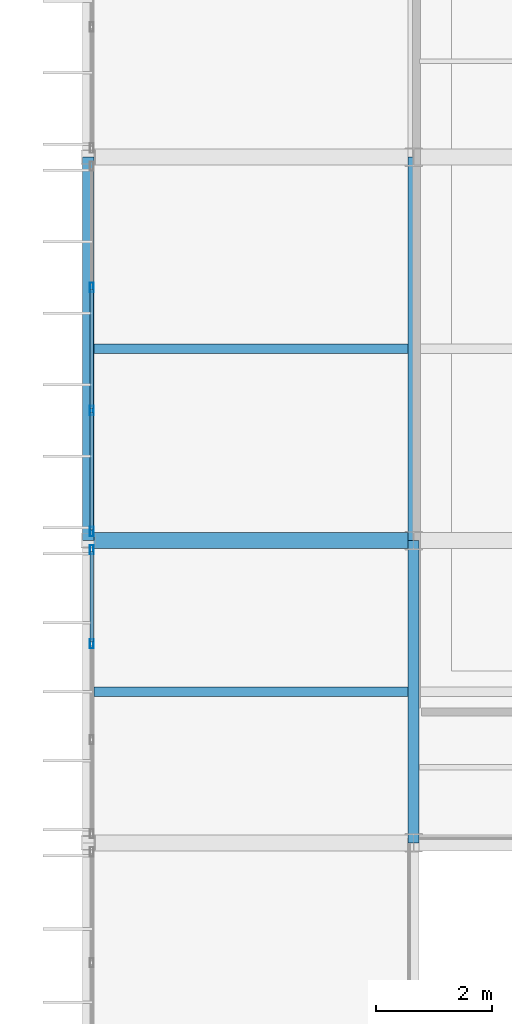
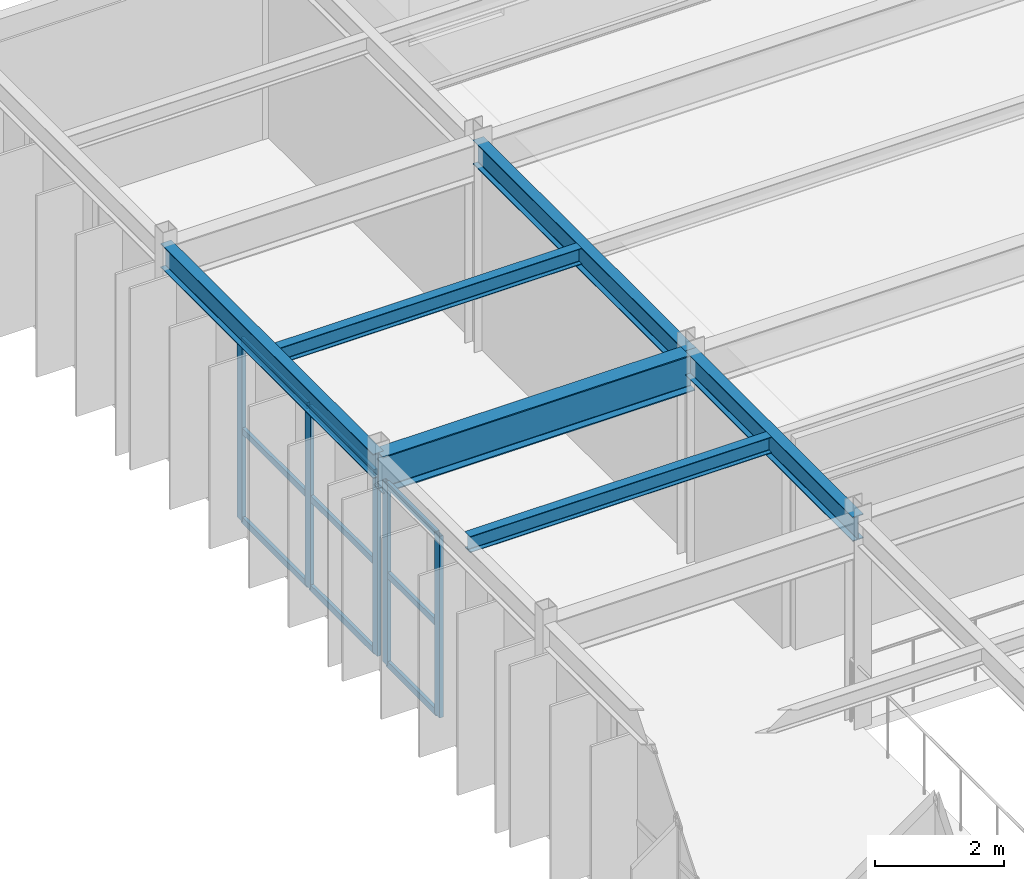
# One storey, part 38 of 148: 14 members, 6 beams, 2 elements without a shape of their own.
"""IFC4 building model written with IfcOpenShell, lengths in metres."""

from ifc_helpers import new_model, si_unit, direction, frame, origin, origin_2d, place, context, subcontext, project, spatial, hollow_rectangle, i_section, extrude, material, material_profile, profile_set, type_object, element, aggregate, save


model = new_model("IFC4")

# Units and contexts
model_context = context("Model", 3, precision=1e-05, world=origin(), true_north=direction((0.0, 1.0)))
body_context = subcontext(model_context, "Body", "Model", "MODEL_VIEW")
ifc_project = project(units=[si_unit("LENGTHUNIT", "METRE"), si_unit("AREAUNIT", "SQUARE_METRE"), si_unit("VOLUMEUNIT", "CUBIC_METRE"), si_unit("PLANEANGLEUNIT", "RADIAN"), si_unit("MASSUNIT", "GRAM", prefix="KILO")], contexts=[model_context])

# Site, building, storey
site_placement = place(None, origin())
site = spatial("IfcSite", under=ifc_project, at=site_placement, CompositionType="ELEMENT")
building_placement = place(site_placement, origin())
building = spatial("IfcBuilding", under=site, at=building_placement, Name="Karori Crest Natural Sciences Institute", CompositionType="ELEMENT")
storey_placement = place(building_placement, frame((0.0, 0.0, 4.89990234375)))
storey = spatial("IfcBuildingStorey", under=building, at=storey_placement, Name="L01", CompositionType="ELEMENT", Elevation=4.89990234375)

# Beams
ifc_material_1 = material(Name="Structural steel AS/NZS 3679.1 Grade 350", Category="steel")
ifc_material_profile_1 = material_profile(ifc_material_1, i_section(OverallWidth=0.27490234375, OverallDepth=0.699951171875, WebThickness=0.010009765625, FlangeThickness=0.02001953125, FilletRadius=0.013916015625, at=origin_2d()), Name="700WB150")
ifc_profile_set_1 = profile_set([ifc_material_profile_1], Name="Structural steel AS/NZS 3679.1 Grade 350")
beam_type_1 = type_object("IfcBeamType", Name="BT-03", PredefinedType="BEAM", material=ifc_profile_set_1)
beam_1_placement = place(storey_placement, frame((1.800048828125, 60.199951171875, 3.570068359375), z_axis=(1.0, 0.0, 0.0), x_axis=(0.0, 1.0, 0.0)))
element("IfcBeam", 1, at=beam_1_placement, inside=storey, type_object=beam_type_1, Name="Beam B-1020", PredefinedType="BEAM", context=body_context, shape_type="SweptSolid", body=[
    extrude(i_section(OverallWidth=0.27490234375, OverallDepth=0.699951171875, WebThickness=0.010009765625, FlangeThickness=0.02001953125, FilletRadius=0.013916015625, at=origin_2d()), origin(), (0.0, 0.0, 1.0), 5.599853515625),
])
ifc_material_profile_2 = material_profile(ifc_material_1, i_section(OverallWidth=0.19091796875, OverallDepth=0.4599609375, WebThickness=0.010009765625, FlangeThickness=0.01611328125, FilletRadius=0.010986328125, at=origin_2d()), Name="460UB82.1")
ifc_profile_set_2 = profile_set([ifc_material_profile_2], Name="Structural steel AS/NZS 3679.1 Grade 350")
beam_type_2 = type_object("IfcBeamType", Name="BT-06", PredefinedType="BEAM", material=ifc_profile_set_2)
beam_2_placement = place(storey_placement, frame((7.39990234375, 55.0, 3.690185546875), z_axis=(0.0, 1.0, 0.0), x_axis=(-1.0, 0.0, 0.0)))
element("IfcBeam", 2, at=beam_2_placement, inside=storey, type_object=beam_type_2, Name="Beam B-1039", PredefinedType="BEAM", context=body_context, shape_type="SweptSolid", body=[
    extrude(i_section(OverallWidth=0.19091796875, OverallDepth=0.4599609375, WebThickness=0.010009765625, FlangeThickness=0.01611328125, FilletRadius=0.010986328125, at=origin_2d()), origin(), (0.0, 0.0, 1.0), 5.199951171875),
])
beam_3_placement = place(storey_placement, frame((7.39990234375, 60.199951171875, 3.690185546875), z_axis=(0.0, 1.0, 0.0), x_axis=(-1.0, 0.0, 0.0)))
element("IfcBeam", 3, at=beam_3_placement, inside=storey, type_object=beam_type_2, Name="Beam B-1040", PredefinedType="BEAM", context=body_context, shape_type="SweptSolid", body=[
    extrude(i_section(OverallWidth=0.19091796875, OverallDepth=0.4599609375, WebThickness=0.010009765625, FlangeThickness=0.01611328125, FilletRadius=0.010986328125, at=origin_2d()), origin(), (0.0, 0.0, 1.0), 6.60009765625),
])
ifc_material_profile_3 = material_profile(ifc_material_1, i_section(OverallWidth=0.19091796875, OverallDepth=0.4599609375, WebThickness=0.010009765625, FlangeThickness=0.01611328125, FilletRadius=0.010986328125, at=origin_2d()), Name="460UB82.1")
ifc_profile_set_3 = profile_set([ifc_material_profile_3], Name="Structural steel AS/NZS 3679.1 Grade 350")
beam_type_3 = type_object("IfcBeamType", Name="BT-06-EL", PredefinedType="BEAM", material=ifc_profile_set_3)
beam_4_placement = place(storey_placement, frame((1.800048828125, 60.199951171875, 3.690185546875), z_axis=(0.0, 1.0, 0.0), x_axis=(-1.0, 0.0, 0.0)))
element("IfcBeam", 4, at=beam_4_placement, inside=storey, type_object=beam_type_3, Name="Beam B-1033", PredefinedType="BEAM", context=body_context, shape_type="SweptSolid", body=[
    extrude(i_section(OverallWidth=0.19091796875, OverallDepth=0.4599609375, WebThickness=0.010009765625, FlangeThickness=0.01611328125, FilletRadius=0.010986328125, at=origin_2d()), origin(), (0.0, 0.0, 1.0), 6.60009765625),
])
ifc_material_profile_4 = material_profile(ifc_material_1, i_section(OverallWidth=0.166015625, OverallDepth=0.306884765625, WebThickness=0.006591796875, FlangeThickness=0.01171875, FilletRadius=0.010986328125, at=origin_2d()), Name="310UB46.2")
ifc_profile_set_4 = profile_set([ifc_material_profile_4], Name="Structural steel AS/NZS 3679.1 Grade 350")
beam_type_4 = type_object("IfcBeamType", Name="BT-09", PredefinedType="BEAM", material=ifc_profile_set_4)
for number, where, z_axis, x_axis, name in (
    (5, (1.8955078125, 57.60009765625, 3.7666015625), (1.0, 0.0, 0.0), (0.0, 1.0, 0.0), "Beam B-1058"),
    (6, (1.8955078125, 63.5, 3.7666015625), (1.0, 0.0, 0.0), (0.0, 1.0, 0.0), "Beam B-1059"),
):
    element("IfcBeam", number, at=place(storey_placement, frame(where, z_axis=z_axis, x_axis=x_axis)), inside=storey, type_object=beam_type_4, Name=name, PredefinedType="BEAM", context=body_context, shape_type="SweptSolid", body=[
        extrude(i_section(OverallWidth=0.166015625, OverallDepth=0.306884765625, WebThickness=0.006591796875, FlangeThickness=0.01171875, FilletRadius=0.010986328125, at=origin_2d()), origin(), (0.0, 0.0, 1.0), 5.408935546875),
    ])

# Curtain wall, members
ifc_material_2 = material(Name="Anodised architectural aluminium 6063-T6", Category="aluminium")
curtain_wall_type = type_object("IfcCurtainWallType", Name="CWT-17", PredefinedType="NOTDEFINED", material=ifc_material_2)
curtain_wall_1_placement = place(storey_placement, origin())
curtain_wall_1 = element("IfcCurtainWall", 7, at=curtain_wall_1_placement, inside=storey, type_object=curtain_wall_type, Name="Curtain wall CW-0264", PredefinedType="NOTDEFINED")
ifc_material_profile_5 = material_profile(ifc_material_2, hollow_rectangle(XDim=0.06494140625, YDim=0.159912109375, WallThickness=0.00390625, at=origin_2d()), Name="CWM160x65x4")
ifc_profile_set_5 = profile_set([ifc_material_profile_5], Name="Anodised architectural aluminium 6063-T6")
member_type_1 = type_object("IfcMemberType", Name="CWM-01", PredefinedType="MULLION", material=ifc_profile_set_5)
member_1_placement = place(storey_placement, frame((1.860107421875, 58.42578125, 0.0), z_axis=(0.0, 0.0, 1.0), x_axis=(-1.0, 0.0, 0.0)))
member_1 = element("IfcMember", 8, at=member_1_placement, type_object=member_type_1, Name="CW-0264 mullion 3", PredefinedType="MULLION", context=body_context, shape_type="SweptSolid", body=[
    extrude(hollow_rectangle(XDim=0.06494140625, YDim=0.159912109375, WallThickness=0.00390625, at=origin_2d()), origin(), (0.0, 0.0, 1.0), 3.445068359375),
])
member_2_placement = place(storey_placement, frame((1.860107421875, 60.04443359375, 0.0), z_axis=(0.0, 0.0, 1.0), x_axis=(-1.0, 0.0, 0.0)))
member_2 = element("IfcMember", 9, at=member_2_placement, type_object=member_type_1, Name="CW-0264 mullion 4", PredefinedType="MULLION", context=body_context, shape_type="SweptSolid", body=[
    extrude(hollow_rectangle(XDim=0.06494140625, YDim=0.159912109375, WallThickness=0.00390625, at=origin_2d()), origin(), (0.0, 0.0, 1.0), 3.445068359375),
])

curtain_wall_2_placement = place(storey_placement, origin())
curtain_wall_2 = element("IfcCurtainWall", 10, at=curtain_wall_2_placement, inside=storey, type_object=curtain_wall_type, Name="Curtain wall CW-0265", PredefinedType="NOTDEFINED")
member_3_placement = place(storey_placement, frame((1.860107421875, 60.35546875, 0.0), z_axis=(0.0, 0.0, 1.0), x_axis=(-1.0, 0.0, 0.0)))
member_3 = element("IfcMember", 11, at=member_3_placement, type_object=member_type_1, Name="CW-0265 mullion 1", PredefinedType="MULLION", context=body_context, shape_type="SweptSolid", body=[
    extrude(hollow_rectangle(XDim=0.06494140625, YDim=0.159912109375, WallThickness=0.00390625, at=origin_2d()), origin(), (0.0, 0.0, 1.0), 3.445068359375),
])
member_4_placement = place(storey_placement, frame((1.860107421875, 62.44091796875, 0.0), z_axis=(0.0, 0.0, 1.0), x_axis=(-1.0, 0.0, 0.0)))
member_4 = element("IfcMember", 12, at=member_4_placement, type_object=member_type_1, Name="CW-0265 mullion 2", PredefinedType="MULLION", context=body_context, shape_type="SweptSolid", body=[
    extrude(hollow_rectangle(XDim=0.06494140625, YDim=0.159912109375, WallThickness=0.00390625, at=origin_2d()), origin(), (0.0, 0.0, 1.0), 3.445068359375),
])
member_5_placement = place(storey_placement, frame((1.860107421875, 64.55908203125, 0.0), z_axis=(0.0, 0.0, 1.0), x_axis=(-1.0, 0.0, 0.0)))
member_5 = element("IfcMember", 13, at=member_5_placement, type_object=member_type_1, Name="CW-0265 mullion 3", PredefinedType="MULLION", context=body_context, shape_type="SweptSolid", body=[
    extrude(hollow_rectangle(XDim=0.06494140625, YDim=0.159912109375, WallThickness=0.00390625, at=origin_2d()), origin(), (0.0, 0.0, 1.0), 3.445068359375),
])

# Member
ifc_material_profile_6 = material_profile(ifc_material_2, hollow_rectangle(XDim=0.06005859375, YDim=0.1201171875, WallThickness=0.00390625, at=origin_2d()), Name="CWT120x60x4")
ifc_profile_set_6 = profile_set([ifc_material_profile_6], Name="Anodised architectural aluminium 6063-T6")
member_type_2 = type_object("IfcMemberType", Name="CWT-TR1", PredefinedType="USERDEFINED", material=ifc_profile_set_6)
member_6_placement = place(storey_placement, frame((1.860107421875, 58.458251953125, 0.030029296875), z_axis=(0.0, 1.0, 0.0), x_axis=(-1.0, 0.0, 0.0)))
member_6 = element("IfcMember", 14, at=member_6_placement, type_object=member_type_2, Name="CW-0264 transom 3.1", ObjectType="TRANSOM", PredefinedType="USERDEFINED", context=body_context, shape_type="SweptSolid", body=[
    extrude(hollow_rectangle(XDim=0.06005859375, YDim=0.1201171875, WallThickness=0.00390625, at=origin_2d()), origin(), (0.0, 0.0, 1.0), 1.5537109375),
])

member_7_placement = place(storey_placement, frame((1.860107421875, 58.458251953125, 1.72265625), z_axis=(0.0, 1.0, 0.0), x_axis=(-1.0, 0.0, 0.0)))
member_7 = element("IfcMember", 15, at=member_7_placement, type_object=member_type_2, Name="CW-0264 transom 3.2", ObjectType="TRANSOM", PredefinedType="USERDEFINED", context=body_context, shape_type="SweptSolid", body=[
    extrude(hollow_rectangle(XDim=0.06005859375, YDim=0.1201171875, WallThickness=0.00390625, at=origin_2d()), origin(), (0.0, 0.0, 1.0), 1.5537109375),
])

member_8_placement = place(storey_placement, frame((1.860107421875, 58.458251953125, 3.4150390625), z_axis=(0.0, 1.0, 0.0), x_axis=(-1.0, 0.0, 0.0)))
member_8 = element("IfcMember", 16, at=member_8_placement, type_object=member_type_2, Name="CW-0264 transom 3.3", ObjectType="TRANSOM", PredefinedType="USERDEFINED", context=body_context, shape_type="SweptSolid", body=[
    extrude(hollow_rectangle(XDim=0.06005859375, YDim=0.1201171875, WallThickness=0.00390625, at=origin_2d()), origin(), (0.0, 0.0, 1.0), 1.5537109375),
])

aggregate(curtain_wall_1, [member_1, member_2, member_6, member_7, member_8])

member_9_placement = place(storey_placement, frame((1.860107421875, 60.387939453125, 0.030029296875), z_axis=(0.0, 1.0, 0.0), x_axis=(-1.0, 0.0, 0.0)))
member_9 = element("IfcMember", 17, at=member_9_placement, type_object=member_type_2, Name="CW-0265 transom 1.1", ObjectType="TRANSOM", PredefinedType="USERDEFINED", context=body_context, shape_type="SweptSolid", body=[
    extrude(hollow_rectangle(XDim=0.06005859375, YDim=0.1201171875, WallThickness=0.00390625, at=origin_2d()), origin(), (0.0, 0.0, 1.0), 2.0205078125),
])

member_10_placement = place(storey_placement, frame((1.860107421875, 60.387939453125, 1.72265625), z_axis=(0.0, 1.0, 0.0), x_axis=(-1.0, 0.0, 0.0)))
member_10 = element("IfcMember", 18, at=member_10_placement, type_object=member_type_2, Name="CW-0265 transom 1.2", ObjectType="TRANSOM", PredefinedType="USERDEFINED", context=body_context, shape_type="SweptSolid", body=[
    extrude(hollow_rectangle(XDim=0.06005859375, YDim=0.1201171875, WallThickness=0.00390625, at=origin_2d()), origin(), (0.0, 0.0, 1.0), 2.0205078125),
])

member_11_placement = place(storey_placement, frame((1.860107421875, 60.387939453125, 3.4150390625), z_axis=(0.0, 1.0, 0.0), x_axis=(-1.0, 0.0, 0.0)))
member_11 = element("IfcMember", 19, at=member_11_placement, type_object=member_type_2, Name="CW-0265 transom 1.3", ObjectType="TRANSOM", PredefinedType="USERDEFINED", context=body_context, shape_type="SweptSolid", body=[
    extrude(hollow_rectangle(XDim=0.06005859375, YDim=0.1201171875, WallThickness=0.00390625, at=origin_2d()), origin(), (0.0, 0.0, 1.0), 2.0205078125),
])

member_12_placement = place(storey_placement, frame((1.860107421875, 62.473388671875, 0.030029296875), z_axis=(0.0, 1.0, 0.0), x_axis=(-1.0, 0.0, 0.0)))
member_12 = element("IfcMember", 20, at=member_12_placement, type_object=member_type_2, Name="CW-0265 transom 2.1", ObjectType="TRANSOM", PredefinedType="USERDEFINED", context=body_context, shape_type="SweptSolid", body=[
    extrude(hollow_rectangle(XDim=0.06005859375, YDim=0.1201171875, WallThickness=0.00390625, at=origin_2d()), origin(), (0.0, 0.0, 1.0), 2.05322265625),
])

member_13_placement = place(storey_placement, frame((1.860107421875, 62.473388671875, 1.72265625), z_axis=(0.0, 1.0, 0.0), x_axis=(-1.0, 0.0, 0.0)))
member_13 = element("IfcMember", 21, at=member_13_placement, type_object=member_type_2, Name="CW-0265 transom 2.2", ObjectType="TRANSOM", PredefinedType="USERDEFINED", context=body_context, shape_type="SweptSolid", body=[
    extrude(hollow_rectangle(XDim=0.06005859375, YDim=0.1201171875, WallThickness=0.00390625, at=origin_2d()), origin(), (0.0, 0.0, 1.0), 2.05322265625),
])

member_14_placement = place(storey_placement, frame((1.860107421875, 62.473388671875, 3.4150390625), z_axis=(0.0, 1.0, 0.0), x_axis=(-1.0, 0.0, 0.0)))
member_14 = element("IfcMember", 22, at=member_14_placement, type_object=member_type_2, Name="CW-0265 transom 2.3", ObjectType="TRANSOM", PredefinedType="USERDEFINED", context=body_context, shape_type="SweptSolid", body=[
    extrude(hollow_rectangle(XDim=0.06005859375, YDim=0.1201171875, WallThickness=0.00390625, at=origin_2d()), origin(), (0.0, 0.0, 1.0), 2.05322265625),
])

aggregate(curtain_wall_2, [member_3, member_4, member_5, member_9, member_10, member_11, member_12, member_13, member_14])

save(model, "model.ifc")
